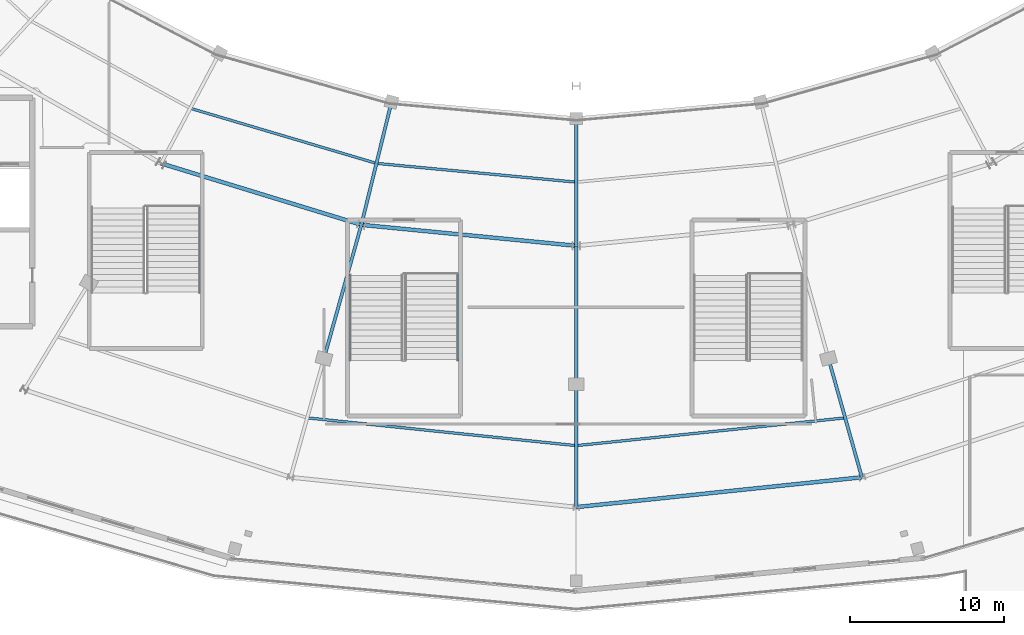
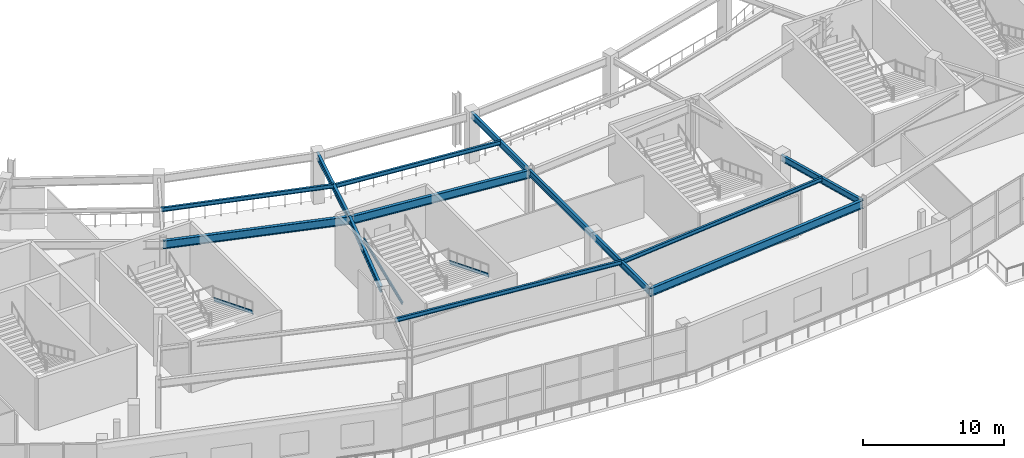
# One storey, part 25 of 107: 13 beams, 3 members.
"""IFC4 building model written with IfcOpenShell, lengths in metres."""

from ifc_helpers import new_model, si_unit, direction, frame, origin, origin_2d, place, context, subcontext, project, spatial, i_section, extrude, material, material_profile, profile_set, type_object, element, save


model = new_model("IFC4")

# Units and contexts
model_context = context("Model", 3, precision=1e-05, world=origin(), true_north=direction((0.0, 1.0)))
body_context = subcontext(model_context, "Body", "Model", "MODEL_VIEW")
ifc_project = project(units=[si_unit("LENGTHUNIT", "METRE"), si_unit("AREAUNIT", "SQUARE_METRE"), si_unit("VOLUMEUNIT", "CUBIC_METRE"), si_unit("PLANEANGLEUNIT", "RADIAN"), si_unit("MASSUNIT", "GRAM", prefix="KILO")], contexts=[model_context])

# Site, building, storey
site_placement = place(None, origin())
site = spatial("IfcSite", under=ifc_project, at=site_placement, CompositionType="ELEMENT")
building_placement = place(site_placement, origin())
building = spatial("IfcBuilding", under=site, at=building_placement, Name="Kalgoora Escarpment Arena", CompositionType="ELEMENT")
storey_placement = place(building_placement, frame((0.0, 0.0, 5.39990234375)))
storey = spatial("IfcBuildingStorey", under=building, at=storey_placement, Name="L01", CompositionType="ELEMENT", Elevation=5.39990234375)

# Beams
ifc_material_1 = material(Name="Structural steel AS/NZS 3679 (300 MPa)", Category="steel")
ifc_material_profile_1 = material_profile(ifc_material_1, i_section(OverallWidth=0.1708984375, OverallDepth=0.35205078125, WebThickness=0.0068359375, FlangeThickness=0.009765625, at=origin_2d()))
ifc_profile_set_1 = profile_set([ifc_material_profile_1], Name="Structural steel AS/NZS 3679 (300 MPa)")
beam_type_1 = type_object("IfcBeamType", Name="BM-BEAM-360UB44.7", PredefinedType="BEAM", material=ifc_profile_set_1)
beam_1_placement = place(storey_placement, frame((67.297607421875, 32.9443359375, 4.064208984375), z_axis=(0.958914478104, -0.283695300775, 0.0), x_axis=(0.283695300775, 0.958914478104, 0.0)))
element("IfcBeam", 1, at=beam_1_placement, inside=storey, type_object=beam_type_1, Name="L01 Concourse secondary ring beam 360UB44.7", PredefinedType="BEAM", context=body_context, shape_type="SweptSolid", body=[
    extrude(i_section(OverallWidth=0.1708984375, OverallDepth=0.35205078125, WebThickness=0.0068359375, FlangeThickness=0.009765625, at=origin_2d()), origin(), (0.0, 0.0, 1.0), 12.627197265625),
])
beam_2_placement = place(storey_placement, frame((79.406005859375, 29.362060546875, 4.024169921875), z_axis=(0.995605767353, -0.093643771891, 0.0), x_axis=(0.093643771891, 0.995605767353, 0.0)))
element("IfcBeam", 2, at=beam_2_placement, inside=storey, type_object=beam_type_1, Name="L01 Concourse secondary ring beam 360UB44.7", PredefinedType="BEAM", context=body_context, shape_type="SweptSolid", body=[
    extrude(i_section(OverallWidth=0.1708984375, OverallDepth=0.35205078125, WebThickness=0.0068359375, FlangeThickness=0.009765625, at=origin_2d()), origin(), (0.0, 0.0, 1.0), 13.05126953125),
])
beam_3_placement = place(storey_placement, frame((74.90380859375, 12.805908203125, 4.024169921875), z_axis=(0.994715233773, -0.102672312238, 0.0), x_axis=(0.102672312238, 0.994715233773, 0.0)))
element("IfcBeam", 3, at=beam_3_placement, inside=storey, type_object=beam_type_1, Name="L01 Concourse secondary ring beam 360UB44.7", PredefinedType="BEAM", context=body_context, shape_type="SweptSolid", body=[
    extrude(i_section(OverallWidth=0.1708984375, OverallDepth=0.35205078125, WebThickness=0.0068359375, FlangeThickness=0.009765625, at=origin_2d()), origin(), (0.0, 0.0, 1.0), 17.589111328125),
])
beam_4_placement = place(storey_placement, frame((92.39990234375, 11.0, 4.024169921875), z_axis=(0.99471538009, 0.10267089467, 0.0), x_axis=(-0.10267089467, 0.99471538009, 0.0)))
element("IfcBeam", 4, at=beam_4_placement, inside=storey, type_object=beam_type_1, Name="L01 Concourse secondary ring beam 360UB44.7", PredefinedType="BEAM", context=body_context, shape_type="SweptSolid", body=[
    extrude(i_section(OverallWidth=0.1708984375, OverallDepth=0.35205078125, WebThickness=0.0068359375, FlangeThickness=0.009765625, at=origin_2d()), origin(), (0.0, 0.0, 1.0), 17.58935546875),
])
ifc_material_2 = material(Name="Structural steel AS/NZS 3679 (300 MPa)", Category="steel")
ifc_material_profile_2 = material_profile(ifc_material_2, i_section(OverallWidth=0.208984375, OverallDepth=0.532958984375, WebThickness=0.01025390625, FlangeThickness=0.015625, at=origin_2d()))
ifc_profile_set_2 = profile_set([ifc_material_profile_2], Name="Structural steel AS/NZS 3679 (300 MPa)")
beam_type_2 = type_object("IfcBeamType", Name="BM-GIRDER-530UB92.4", PredefinedType="USERDEFINED", material=ifc_profile_set_2)
beam_5_placement = place(storey_placement, frame((80.38818359375, 33.36083984375, 3.9736328125), z_axis=(-0.238522773309, -0.971136904156, 0.0), x_axis=(0.971136904156, -0.238522773309, 0.0)))
element("IfcBeam", 5, at=beam_5_placement, inside=storey, type_object=beam_type_2, Name="L01 Radial concourse girder 530UB92.4", ObjectType="GIRDER", PredefinedType="USERDEFINED", context=body_context, shape_type="SweptSolid", body=[
    extrude(i_section(OverallWidth=0.208984375, OverallDepth=0.532958984375, WebThickness=0.01025390625, FlangeThickness=0.015625, at=origin_2d()), origin(), (0.0, 0.0, 1.0), 8.235595703125),
])
beam_6_placement = place(storey_placement, frame((78.423828125, 25.363037109375, 3.9736328125), z_axis=(-0.269498512386, -0.963000805722, 0.0), x_axis=(0.963000805722, -0.269498512386, 0.0)))
element("IfcBeam", 6, at=beam_6_placement, inside=storey, type_object=beam_type_2, Name="L01 Radial concourse girder 530UB92.4", ObjectType="GIRDER", PredefinedType="USERDEFINED", context=body_context, shape_type="SweptSolid", body=[
    extrude(i_section(OverallWidth=0.208984375, OverallDepth=0.532958984375, WebThickness=0.01025390625, FlangeThickness=0.015625, at=origin_2d()), origin(), (0.0, 0.0, 1.0), 9.02734375),
])
beam_7_placement = place(storey_placement, frame((92.39990234375, 32.280029296875, 3.93359375), z_axis=(0.0, -1.0, 0.0), x_axis=(1.0, 0.0, 0.0)))
element("IfcBeam", 7, at=beam_7_placement, inside=storey, type_object=beam_type_2, Name="L01 Radial concourse girder 530UB92.4", ObjectType="GIRDER", PredefinedType="USERDEFINED", context=body_context, shape_type="SweptSolid", body=[
    extrude(i_section(OverallWidth=0.208984375, OverallDepth=0.532958984375, WebThickness=0.01025390625, FlangeThickness=0.015625, at=origin_2d()), origin(), (0.0, 0.0, 1.0), 8.280029296875),
])
beam_8_placement = place(storey_placement, frame((92.39990234375, 24.0, 3.93359375), z_axis=(0.0, -1.0, 0.0), x_axis=(1.0, 0.0, 0.0)))
element("IfcBeam", 8, at=beam_8_placement, inside=storey, type_object=beam_type_2, Name="L01 Radial concourse girder 530UB92.4", ObjectType="GIRDER", PredefinedType="USERDEFINED", context=body_context, shape_type="SweptSolid", body=[
    extrude(i_section(OverallWidth=0.208984375, OverallDepth=0.532958984375, WebThickness=0.01025390625, FlangeThickness=0.015625, at=origin_2d()), origin(), (0.0, 0.0, 1.0), 9.0),
])
beam_9_placement = place(storey_placement, frame((92.39990234375, 15.0, 3.93359375), z_axis=(0.0, -1.0, 0.0), x_axis=(1.0, 0.0, 0.0)))
element("IfcBeam", 9, at=beam_9_placement, inside=storey, type_object=beam_type_2, Name="L01 Radial concourse girder 530UB92.4", ObjectType="GIRDER", PredefinedType="USERDEFINED", context=body_context, shape_type="SweptSolid", body=[
    extrude(i_section(OverallWidth=0.208984375, OverallDepth=0.532958984375, WebThickness=0.01025390625, FlangeThickness=0.015625, at=origin_2d()), origin(), (0.0, 0.0, 1.0), 8.0),
])
beam_10_placement = place(storey_placement, frame((108.80908203125, 16.669677734375, 3.93359375), z_axis=(0.27082660355, -0.962628147734, 0.0), x_axis=(0.962628147734, 0.27082660355, 0.0)))
element("IfcBeam", 10, at=beam_10_placement, inside=storey, type_object=beam_type_2, Name="L01 Radial concourse girder 530UB92.4", ObjectType="GIRDER", PredefinedType="USERDEFINED", context=body_context, shape_type="SweptSolid", body=[
    extrude(i_section(OverallWidth=0.208984375, OverallDepth=0.532958984375, WebThickness=0.01025390625, FlangeThickness=0.015625, at=origin_2d()), origin(), (0.0, 0.0, 1.0), 8.027587890625),
])
ifc_material_3 = material(Name="Structural steel AS/NZS 3679 (300 MPa)", Category="steel")
ifc_material_profile_3 = material_profile(ifc_material_3, i_section(OverallWidth=0.25, OverallDepth=0.699951171875, WebThickness=0.010009765625, FlangeThickness=0.02001953125, at=origin_2d()))
ifc_profile_set_3 = profile_set([ifc_material_profile_3], Name="Structural steel AS/NZS 3679 (300 MPa)")
beam_type_3 = type_object("IfcBeamType", Name="BM-GIRDER-700WB130", PredefinedType="USERDEFINED", material=ifc_profile_set_3)
beam_11_placement = place(storey_placement, frame((65.39990234375, 29.35888671875, 3.89013671875), z_axis=(0.956016223512, -0.293313791666, 0.0), x_axis=(0.293313791666, 0.956016223512, 0.0)))
element("IfcBeam", 11, at=beam_11_placement, inside=storey, type_object=beam_type_3, Name="L01 Circumferential concourse girder RMAIN 700WB130", ObjectType="GIRDER", PredefinedType="USERDEFINED", context=body_context, shape_type="SweptSolid", body=[
    extrude(i_section(OverallWidth=0.25, OverallDepth=0.699951171875, WebThickness=0.010009765625, FlangeThickness=0.02001953125, at=origin_2d()), origin(), (0.0, 0.0, 1.0), 13.623046875),
])
beam_12_placement = place(storey_placement, frame((78.423828125, 25.363037109375, 3.85009765625), z_axis=(0.995277952766, -0.097065940158, 0.0), x_axis=(0.097065940158, 0.995277952766, 0.0)))
element("IfcBeam", 12, at=beam_12_placement, inside=storey, type_object=beam_type_3, Name="L01 Circumferential concourse girder RMAIN 700WB130", ObjectType="GIRDER", PredefinedType="USERDEFINED", context=body_context, shape_type="SweptSolid", body=[
    extrude(i_section(OverallWidth=0.25, OverallDepth=0.699951171875, WebThickness=0.010009765625, FlangeThickness=0.02001953125, at=origin_2d()), origin(), (0.0, 0.0, 1.0), 14.04248046875),
])
ifc_material_4 = material(Name="Structural steel AS/NZS 3679 (300 MPa)", Category="steel")
ifc_material_profile_4 = material_profile(ifc_material_4, i_section(OverallWidth=0.25, OverallDepth=0.699951171875, WebThickness=0.010009765625, FlangeThickness=0.02001953125, at=origin_2d()))
ifc_profile_set_4 = profile_set([ifc_material_profile_4], Name="Structural steel AS/NZS 3679 (300 MPa)")
beam_type_4 = type_object("IfcBeamType", Name="BM-SPANDREL-700WB130", PredefinedType="SPANDREL", material=ifc_profile_set_4)
beam_13_placement = place(storey_placement, frame((92.39990234375, 7.0, 3.85009765625), z_axis=(0.994583146525, 0.103944045753, 0.0), x_axis=(-0.103944045753, 0.994583146525, 0.0)))
element("IfcBeam", 13, at=beam_13_placement, inside=storey, type_object=beam_type_4, Name="L01 Circumferential concourse girder RCONC2 700WB130", PredefinedType="SPANDREL", context=body_context, shape_type="SweptSolid", body=[
    extrude(i_section(OverallWidth=0.25, OverallDepth=0.699951171875, WebThickness=0.010009765625, FlangeThickness=0.02001953125, at=origin_2d()), origin(), (0.0, 0.0, 1.0), 18.6845703125),
])

# Members
ifc_material_5 = material(Name="Structural steel AS/NZS 3679 (300 MPa)", Category="steel")
ifc_material_profile_5 = material_profile(ifc_material_5, i_section(OverallWidth=0.090087890625, OverallDepth=0.300048828125, WebThickness=0.008056640625, FlangeThickness=0.01611328125, at=origin_2d()))
ifc_profile_set_5 = profile_set([ifc_material_profile_5], Name="Structural steel AS/NZS 3679 (300 MPa)")
member_type = type_object("IfcMemberType", Name="MEM-STRINGER-PFC", PredefinedType="STRINGER", material=ifc_profile_set_5)
for number, where, z_axis, x_axis, name in (
    (14, (67.929931640625, 26.510009765625, -0.039794921875), (0.0, -0.926975796404, 0.375121144273), (1.0, 0.0, 0.0), "ST13 L01 steel stair stringer 1"),
    (15, (84.72998046875, 22.110107421875, -0.039794921875), (0.0, -0.926975796404, 0.375121144273), (1.0, 0.0, 0.0), "ST14 L01 steel stair stringer 1"),
    (16, (77.669921875, 16.550048828125, 2.210205078125), (0.0, 0.926975796404, 0.375121144273), (-1.0, 0.0, 0.0), "ST14 L01 steel stair stringer 2"),
):
    element("IfcMember", number, at=place(storey_placement, frame(where, z_axis=z_axis, x_axis=x_axis)), inside=storey, type_object=member_type, Name=name, PredefinedType="STRINGER", context=body_context, shape_type="SweptSolid", body=[
        extrude(i_section(OverallWidth=0.090087890625, OverallDepth=0.300048828125, WebThickness=0.008056640625, FlangeThickness=0.01611328125, at=origin_2d()), origin(), (0.0, 0.0, 1.0), 5.998046875),
    ])

save(model, "model.ifc")
